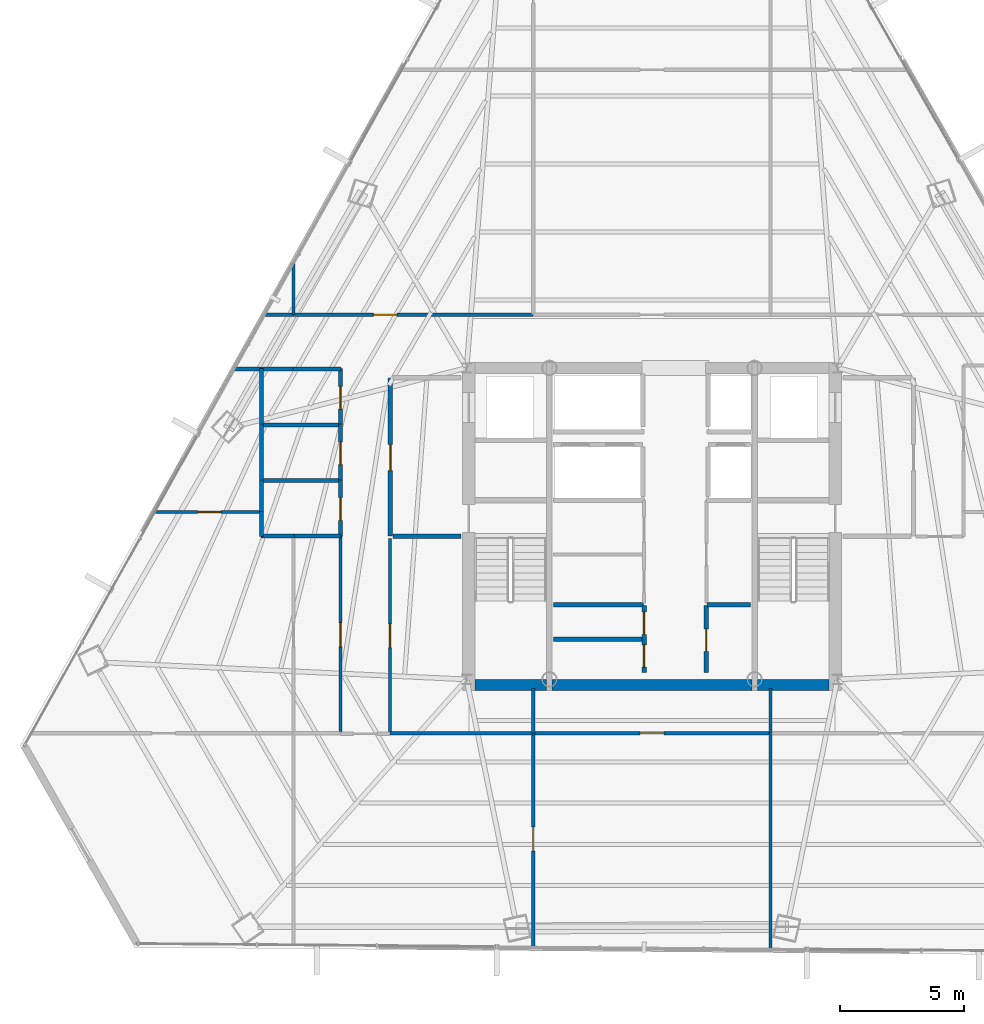
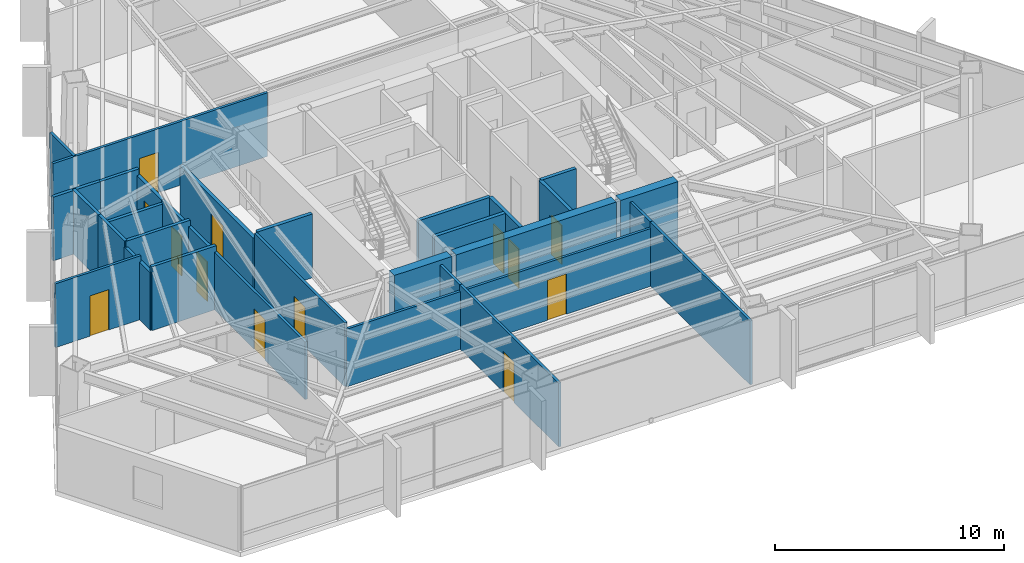
# One storey, part 33 of 38: 34 walls, 13 doors, 13 openings.
"""IFC4 building model written with IfcOpenShell, lengths in metres."""

from ifc_helpers import new_model, si_unit, direction, frame, frame_2d, origin, place, context, subcontext, project, spatial, rectangle, extrude, material, layer, layer_set, type_object, element, fill, save


model = new_model("IFC4")

# Units and contexts
model_context = context("Model", 3, precision=1e-05, world=origin(), true_north=direction((0.0, 1.0)))
body_context = subcontext(model_context, "Body", "Model", "MODEL_VIEW")
ifc_project = project(units=[si_unit("LENGTHUNIT", "METRE"), si_unit("AREAUNIT", "SQUARE_METRE"), si_unit("VOLUMEUNIT", "CUBIC_METRE"), si_unit("PLANEANGLEUNIT", "RADIAN"), si_unit("MASSUNIT", "GRAM", prefix="KILO")], contexts=[model_context])

# Site, building, storey
site_placement = place(None, origin())
site = spatial("IfcSite", under=ifc_project, at=site_placement, CompositionType="ELEMENT")
building_placement = place(site_placement, origin())
building = spatial("IfcBuilding", under=site, at=building_placement, Name="Caelisora Broadcast Tower", CompositionType="ELEMENT")
storey_placement = place(building_placement, frame((0.0, 0.0, 154.85009765625)))
storey = spatial("IfcBuildingStorey", under=building, at=storey_placement, Name="L40", CompositionType="ELEMENT", Elevation=154.85009765625)

# Walls
ifc_material_1 = material(Name="Concrete 50 MPa (AS 3600 S50)", Category="concrete")
ifc_layer_1 = layer(ifc_material_1, 0.449951171875, Name="Concrete 50 MPa (AS 3600 S50)")
ifc_layer_set_1 = layer_set([ifc_layer_1], Name="Concrete 50 MPa (AS 3600 S50)")
wall_type_1 = type_object("IfcWallType", Name="CW5", PredefinedType="SHEAR", material=ifc_layer_set_1)
wall_1_placement = place(storey_placement, frame((30.840087890625, 17.175048828125, 0.0), z_axis=(0.0, 0.0, 1.0), x_axis=(1.0, 0.0, 0.0)))
element("IfcWall", 1, at=wall_1_placement, inside=storey, type_object=wall_type_1, Name="L40 core shear wall CW5", PredefinedType="SHEAR", context=body_context, shape_type="SweptSolid", body=[
    extrude(rectangle(XDim=2.89990234375, YDim=0.449951171875, at=frame_2d((1.449951171875, 0.0))), origin(), (0.0, 0.0, 1.0), 3.64990234375),
])
wall_2_placement = place(storey_placement, frame((33.9599609375, 17.175048828125, 0.0), z_axis=(0.0, 0.0, 1.0), x_axis=(1.0, 0.0, 0.0)))
element("IfcWall", 2, at=wall_2_placement, inside=storey, type_object=wall_type_1, Name="L40 core shear wall CW5", PredefinedType="SHEAR", context=body_context, shape_type="SweptSolid", body=[
    extrude(rectangle(XDim=8.080078125, YDim=0.449951171875, at=frame_2d((4.0400390625, 0.0))), origin(), (0.0, 0.0, 1.0), 3.64990234375),
])
wall_3_placement = place(storey_placement, frame((42.260009765625, 17.175048828125, 0.0), z_axis=(0.0, 0.0, 1.0), x_axis=(1.0, 0.0, 0.0)))
element("IfcWall", 3, at=wall_3_placement, inside=storey, type_object=wall_type_1, Name="L40 core shear wall CW5", PredefinedType="SHEAR", context=body_context, shape_type="SweptSolid", body=[
    extrude(rectangle(XDim=2.89990234375, YDim=0.449951171875, at=frame_2d((1.449951171875, 0.0))), origin(), (0.0, 0.0, 1.0), 3.64990234375),
])

# Wall, opening, door
ifc_material_2 = material(Name="Fire-Rated Gypsum Shaft and Compartment Wall", Category="gypsum")
ifc_layer_2 = layer(ifc_material_2, 0.179931640625, Name="Fire-Rated Gypsum Shaft and Compartment Wall")
ifc_layer_set_2 = layer_set([ifc_layer_2], Name="Fire-Rated Gypsum Shaft and Compartment Wall")
wall_type_2 = type_object("IfcWallType", Name="PW2", PredefinedType="PARTITIONING", material=ifc_layer_set_2)
wall_4_placement = place(storey_placement, frame((27.419921875, 23.199951171875, 0.0), z_axis=(0.0, 0.0, 1.0), x_axis=(0.0, 1.0, 0.0)))
wall_4 = element("IfcWall", 4, at=wall_4_placement, inside=storey, type_object=wall_type_2, Name="L40 fire compartment wall PW2", PredefinedType="PARTITIONING", context=body_context, shape_type="SweptSolid", body=[
    extrude(rectangle(XDim=6.400146484375, YDim=0.179931640625, at=frame_2d((3.2001953125, 0.0))), origin(), (0.0, 0.0, 1.0), 3.07763671875),
])
opening_1_placement = place(wall_4_placement, frame((2.64990234375, 0.0, 0.0)))
opening_1 = element("IfcOpeningElement", 5, at=opening_1_placement, cuts=wall_4, Name="Opening FD02", PredefinedType="OPENING", context=body_context, shape_type="SweptSolid", body=[
    extrude(rectangle(XDim=1.050048828125, YDim=2.14990234375, at=frame_2d((0.52490234375, 1.074951171875))), frame((0.0, 0.10205078125, 0.0), z_axis=(0.0, -1.0, 0.0), x_axis=(1.0, 0.0, 0.0)), (0.0, 0.0, 1.0), 0.203857421875),
])
ifc_material_3 = material(Name="Single-Leaf Steel Fire Lobby Door", Category="steel")
door_type_1 = type_object("IfcDoorType", Name="FD02", OperationType="NOTDEFINED", PredefinedType="DOOR", material=ifc_material_3)
door_1_placement = place(opening_1_placement, origin())
door_1 = element("IfcDoor", 6, at=door_1_placement, inside=storey, type_object=door_type_1, Name="L40 door FD02 (L40-DR-P01D1)", OperationType="SINGLE_SWING_RIGHT", OverallHeight=2.14990234375, OverallWidth=1.050048828125, PredefinedType="DOOR", context=body_context, shape_type="SweptSolid", body=[
    extrude(rectangle(XDim=1.050048828125, YDim=2.14990234375, at=frame_2d((0.52490234375, 1.074951171875))), frame((0.0, 0.02490234375, 0.0), z_axis=(0.0, -1.0, 0.0), x_axis=(1.0, 0.0, 0.0)), (0.0, 0.0, 1.0), 0.050048828125),
])
fill(opening_1, door_1)

# Walls
wall_5_placement = place(storey_placement, frame((27.52001953125, 23.199951171875, 0.0), z_axis=(0.0, 0.0, 1.0), x_axis=(1.0, 0.0, 0.0)))
element("IfcWall", 7, at=wall_5_placement, inside=storey, type_object=wall_type_2, Name="L40 fire compartment wall PW2", PredefinedType="PARTITIONING", context=body_context, shape_type="SweptSolid", body=[
    extrude(rectangle(XDim=2.760009765625, YDim=0.179931640625, at=frame_2d((1.3798828125, 0.0))), origin(), (0.0, 0.0, 1.0), 3.39990234375),
])
wall_6_placement = place(storey_placement, frame((34.02001953125, 20.419921875, 0.0), z_axis=(0.0, 0.0, 1.0), x_axis=(1.0, 0.0, 0.0)))
element("IfcWall", 8, at=wall_6_placement, inside=storey, type_object=wall_type_2, Name="L40 fire compartment wall PW2", PredefinedType="PARTITIONING", context=body_context, shape_type="SweptSolid", body=[
    extrude(rectangle(XDim=3.639892578125, YDim=0.179931640625, at=frame_2d((1.81982421875, 0.0))), origin(), (0.0, 0.0, 1.0), 3.39990234375),
])
wall_7_placement = place(storey_placement, frame((40.219970703125, 20.419921875, 0.0), z_axis=(0.0, 0.0, 1.0), x_axis=(1.0, 0.0, 0.0)))
element("IfcWall", 9, at=wall_7_placement, inside=storey, type_object=wall_type_2, Name="L40 fire compartment wall PW2", PredefinedType="PARTITIONING", context=body_context, shape_type="SweptSolid", body=[
    extrude(rectangle(XDim=1.760009765625, YDim=0.179931640625, at=frame_2d((0.8798828125, 0.0))), origin(), (0.0, 0.0, 1.0), 3.39990234375),
])
wall_8_placement = place(storey_placement, frame((34.02001953125, 19.02001953125, 0.0), z_axis=(0.0, 0.0, 1.0), x_axis=(1.0, 0.0, 0.0)))
element("IfcWall", 10, at=wall_8_placement, inside=storey, type_object=wall_type_2, Name="L40 fire compartment wall PW2", PredefinedType="PARTITIONING", context=body_context, shape_type="SweptSolid", body=[
    extrude(rectangle(XDim=3.580078125, YDim=0.179931640625, at=frame_2d((1.7900390625, 0.0))), origin(), (0.0, 0.0, 1.0), 3.39990234375),
])

# Wall, openings, doors
wall_9_placement = place(storey_placement, frame((37.679931640625, 17.679931640625, 0.0), z_axis=(0.0, 0.0, 1.0), x_axis=(0.0, 1.0, 0.0)))
wall_9 = element("IfcWall", 11, at=wall_9_placement, inside=storey, type_object=wall_type_2, Name="L40 fire compartment wall PW2", PredefinedType="PARTITIONING", context=body_context, shape_type="SweptSolid", body=[
    extrude(rectangle(XDim=2.699951171875, YDim=0.179931640625, at=frame_2d((1.35009765625, 0.0))), origin(), (0.0, 0.0, 1.0), 3.39990234375),
])
opening_2_placement = place(wall_9_placement, frame((0.219970703125, 0.0, 0.0)))
opening_2 = element("IfcOpeningElement", 12, at=opening_2_placement, cuts=wall_9, Name="Opening FD03", PredefinedType="OPENING", context=body_context, shape_type="SweptSolid", body=[
    extrude(rectangle(XDim=0.89990234375, YDim=2.10009765625, at=frame_2d((0.449951171875, 1.050048828125))), frame((0.0, 0.10205078125, 0.0), z_axis=(0.0, -1.0, 0.0), x_axis=(1.0, 0.0, 0.0)), (0.0, 0.0, 1.0), 0.203857421875),
])
opening_3_placement = place(wall_9_placement, frame((1.5400390625, 0.0, 0.0)))
opening_3 = element("IfcOpeningElement", 13, at=opening_3_placement, cuts=wall_9, Name="Opening FD03", PredefinedType="OPENING", context=body_context, shape_type="SweptSolid", body=[
    extrude(rectangle(XDim=0.89990234375, YDim=2.10009765625, at=frame_2d((0.449951171875, 1.050048828125))), frame((0.0, 0.10205078125, 0.0), z_axis=(0.0, -1.0, 0.0), x_axis=(1.0, 0.0, 0.0)), (0.0, 0.0, 1.0), 0.203857421875),
])
ifc_material_4 = material(Name="Single-Leaf Steel Riser Fire Access Door", Category="steel")
door_type_2 = type_object("IfcDoorType", Name="FD03", OperationType="NOTDEFINED", PredefinedType="DOOR", material=ifc_material_4)
door_2_placement = place(opening_2_placement, origin())
door_2 = element("IfcDoor", 14, at=door_2_placement, inside=storey, type_object=door_type_2, Name="L40 door FD03 (L40-DR-P15D1)", OperationType="SINGLE_SWING_LEFT", OverallHeight=2.10009765625, OverallWidth=0.89990234375, PredefinedType="DOOR", context=body_context, shape_type="SweptSolid", body=[
    extrude(rectangle(XDim=0.89990234375, YDim=2.10009765625, at=frame_2d((0.449951171875, 1.050048828125))), frame((0.0, 0.02490234375, 0.0), z_axis=(0.0, -1.0, 0.0), x_axis=(1.0, 0.0, 0.0)), (0.0, 0.0, 1.0), 0.050048828125),
])
fill(opening_2, door_2)
door_3_placement = place(opening_3_placement, origin())
door_3 = element("IfcDoor", 15, at=door_3_placement, inside=storey, type_object=door_type_2, Name="L40 door FD03 (L40-DR-P15D2)", OperationType="SINGLE_SWING_RIGHT", OverallHeight=2.10009765625, OverallWidth=0.89990234375, PredefinedType="DOOR", context=body_context, shape_type="SweptSolid", body=[
    extrude(rectangle(XDim=0.89990234375, YDim=2.10009765625, at=frame_2d((0.449951171875, 1.050048828125))), frame((0.0, 0.02490234375, 0.0), z_axis=(0.0, -1.0, 0.0), x_axis=(1.0, 0.0, 0.0)), (0.0, 0.0, 1.0), 0.050048828125),
])
fill(opening_3, door_3)

# Wall, opening, door
wall_10_placement = place(storey_placement, frame((40.199951171875, 17.679931640625, 0.0), z_axis=(0.0, 0.0, 1.0), x_axis=(0.0, 1.0, 0.0)))
wall_10 = element("IfcWall", 16, at=wall_10_placement, inside=storey, type_object=wall_type_2, Name="L40 fire compartment wall PW2", PredefinedType="PARTITIONING", context=body_context, shape_type="SweptSolid", body=[
    extrude(rectangle(XDim=2.699951171875, YDim=0.179931640625, at=frame_2d((1.35009765625, 0.0))), origin(), (0.0, 0.0, 1.0), 3.39990234375),
])
opening_4_placement = place(wall_10_placement, frame((0.85009765625, 0.0, 0.0)))
opening_4 = element("IfcOpeningElement", 17, at=opening_4_placement, cuts=wall_10, Name="Opening FD03", PredefinedType="OPENING", context=body_context, shape_type="SweptSolid", body=[
    extrude(rectangle(XDim=0.89990234375, YDim=2.10009765625, at=frame_2d((0.449951171875, 1.050048828125))), frame((0.0, 0.10205078125, 0.0), z_axis=(0.0, -1.0, 0.0), x_axis=(1.0, 0.0, 0.0)), (0.0, 0.0, 1.0), 0.203857421875),
])
door_4_placement = place(opening_4_placement, origin())
door_4 = element("IfcDoor", 18, at=door_4_placement, inside=storey, type_object=door_type_2, Name="L40 door FD03 (L40-DR-P16D1)", OperationType="SINGLE_SWING_LEFT", OverallHeight=2.10009765625, OverallWidth=0.89990234375, PredefinedType="DOOR", context=body_context, shape_type="SweptSolid", body=[
    extrude(rectangle(XDim=0.89990234375, YDim=2.10009765625, at=frame_2d((0.449951171875, 1.050048828125))), frame((0.0, 0.02490234375, 0.0), z_axis=(0.0, -1.0, 0.0), x_axis=(1.0, 0.0, 0.0)), (0.0, 0.0, 1.0), 0.050048828125),
])
fill(opening_4, door_4)

ifc_material_5 = material(Name="Acoustic Steel-Stud Plasterboard Partition", Category="gypsum")
ifc_layer_3 = layer(ifc_material_5, 0.1298828125, Name="Acoustic Steel-Stud Plasterboard Partition")
ifc_layer_set_3 = layer_set([ifc_layer_3], Name="Acoustic Steel-Stud Plasterboard Partition")
wall_type_3 = type_object("IfcWallType", Name="PW3", PredefinedType="PARTITIONING", material=ifc_layer_set_3)
wall_11_placement = place(storey_placement, frame((22.363525390625, 32.14990234375, 0.0), z_axis=(0.0, 0.0, 1.0), x_axis=(1.0, 0.0, 0.0)))
wall_11 = element("IfcWall", 19, at=wall_11_placement, inside=storey, type_object=wall_type_3, Name="L40 internal partition PW3", PredefinedType="PARTITIONING", context=body_context, shape_type="SweptSolid", body=[
    extrude(rectangle(XDim=10.83154296875, YDim=0.1298828125, at=frame_2d((5.415771484375, 0.0))), origin(), (0.0, 0.0, 1.0), 3.39990234375),
])
opening_5_placement = place(wall_11_placement, frame((4.364990234375, 0.0, 0.0)))
opening_5 = element("IfcOpeningElement", 20, at=opening_5_placement, cuts=wall_11, Name="Opening D01", PredefinedType="OPENING", context=body_context, shape_type="SweptSolid", body=[
    extrude(rectangle(XDim=0.9599609375, YDim=2.14990234375, at=frame_2d((0.47998046875, 1.074951171875))), frame((0.0, 0.076904296875, 0.0), z_axis=(0.0, -1.0, 0.0), x_axis=(1.0, 0.0, 0.0)), (0.0, 0.0, 1.0), 0.15380859375),
])
ifc_material_6 = material(Name="Solid-Core Timber Acoustic Office Door", Category="wood")
door_type_3 = type_object("IfcDoorType", Name="D01", OperationType="NOTDEFINED", PredefinedType="DOOR", material=ifc_material_6)
door_5_placement = place(opening_5_placement, origin())
door_5 = element("IfcDoor", 21, at=door_5_placement, inside=storey, type_object=door_type_3, Name="L40 door D01 (L40-DR-P35D1)", OperationType="SINGLE_SWING_RIGHT", OverallHeight=2.14990234375, OverallWidth=0.9599609375, PredefinedType="DOOR", context=body_context, shape_type="SweptSolid", body=[
    extrude(rectangle(XDim=0.9599609375, YDim=2.14990234375, at=frame_2d((0.47998046875, 1.074951171875))), frame((0.0, 0.02490234375, 0.0), z_axis=(0.0, -1.0, 0.0), x_axis=(1.0, 0.0, 0.0)), (0.0, 0.0, 1.0), 0.050048828125),
])
fill(opening_5, door_5)

wall_12_placement = place(storey_placement, frame((33.205078125, 15.219970703125, 0.0), z_axis=(0.0, 0.0, 1.0), x_axis=(1.0, 0.0, 0.0)))
wall_12 = element("IfcWall", 22, at=wall_12_placement, inside=storey, type_object=wall_type_3, Name="L40 internal partition PW3", PredefinedType="PARTITIONING", context=body_context, shape_type="SweptSolid", body=[
    extrude(rectangle(XDim=9.58984375, YDim=0.1298828125, at=frame_2d((4.794921875, 0.0))), origin(), (0.0, 0.0, 1.0), 3.07763671875),
])
opening_6_placement = place(wall_12_placement, frame((4.31494140625, 0.0, 0.0)))
opening_6 = element("IfcOpeningElement", 23, at=opening_6_placement, cuts=wall_12, Name="Opening D01", PredefinedType="OPENING", context=body_context, shape_type="SweptSolid", body=[
    extrude(rectangle(XDim=0.9599609375, YDim=2.14990234375, at=frame_2d((0.47998046875, 1.074951171875))), frame((0.0, 0.076904296875, 0.0), z_axis=(0.0, -1.0, 0.0), x_axis=(1.0, 0.0, 0.0)), (0.0, 0.0, 1.0), 0.15380859375),
])
door_6_placement = place(opening_6_placement, origin())
door_6 = element("IfcDoor", 24, at=door_6_placement, inside=storey, type_object=door_type_3, Name="L40 door D01 (L40-DR-P39D1)", OperationType="SINGLE_SWING_RIGHT", OverallHeight=2.14990234375, OverallWidth=0.9599609375, PredefinedType="DOOR", context=body_context, shape_type="SweptSolid", body=[
    extrude(rectangle(XDim=0.9599609375, YDim=2.14990234375, at=frame_2d((0.47998046875, 1.074951171875))), frame((0.0, 0.02490234375, 0.0), z_axis=(0.0, -1.0, 0.0), x_axis=(1.0, 0.0, 0.0)), (0.0, 0.0, 1.0), 0.050048828125),
])
fill(opening_6, door_6)

# Wall
wall_13_placement = place(storey_placement, frame((42.800048828125, 6.489013671875, 0.0), z_axis=(0.0, 0.0, 1.0), x_axis=(0.0, 1.0, 0.0)))
element("IfcWall", 25, at=wall_13_placement, inside=storey, type_object=wall_type_3, Name="L40 internal partition PW3", PredefinedType="PARTITIONING", context=body_context, shape_type="SweptSolid", body=[
    extrude(rectangle(XDim=8.72607421875, YDim=0.1298828125, at=frame_2d((4.363037109375, 0.0))), origin(), (0.0, 0.0, 1.0), 3.39990234375),
])

# Wall, opening, door
wall_14_placement = place(storey_placement, frame((33.199951171875, 6.568603515625, 0.0), z_axis=(0.0, 0.0, 1.0), x_axis=(0.0, 1.0, 0.0)))
wall_14 = element("IfcWall", 26, at=wall_14_placement, inside=storey, type_object=wall_type_3, Name="L40 internal partition PW3", PredefinedType="PARTITIONING", context=body_context, shape_type="SweptSolid", body=[
    extrude(rectangle(XDim=8.646484375, YDim=0.1298828125, at=frame_2d((4.3232421875, 0.0))), origin(), (0.0, 0.0, 1.0), 3.39990234375),
])
opening_7_placement = place(wall_14_placement, frame((3.89306640625, 0.0, 0.0)))
opening_7 = element("IfcOpeningElement", 27, at=opening_7_placement, cuts=wall_14, Name="Opening D01", PredefinedType="OPENING", context=body_context, shape_type="SweptSolid", body=[
    extrude(rectangle(XDim=0.9599609375, YDim=2.14990234375, at=frame_2d((0.47998046875, 1.074951171875))), frame((0.0, 0.076904296875, 0.0), z_axis=(0.0, -1.0, 0.0), x_axis=(1.0, 0.0, 0.0)), (0.0, 0.0, 1.0), 0.15380859375),
])
door_7_placement = place(opening_7_placement, origin())
door_7 = element("IfcDoor", 28, at=door_7_placement, inside=storey, type_object=door_type_3, Name="L40 door D01 (L40-DR-P46D1)", OperationType="SINGLE_SWING_LEFT", OverallHeight=2.14990234375, OverallWidth=0.9599609375, PredefinedType="DOOR", context=body_context, shape_type="SweptSolid", body=[
    extrude(rectangle(XDim=0.9599609375, YDim=2.14990234375, at=frame_2d((0.47998046875, 1.074951171875))), frame((0.0, 0.02490234375, 0.0), z_axis=(0.0, -1.0, 0.0), x_axis=(1.0, 0.0, 0.0)), (0.0, 0.0, 1.0), 0.050048828125),
])
fill(opening_7, door_7)

wall_15_placement = place(storey_placement, frame((25.39990234375, 15.22509765625, 0.0), z_axis=(0.0, 0.0, 1.0), x_axis=(0.0, 1.0, 0.0)))
wall_15 = element("IfcWall", 29, at=wall_15_placement, inside=storey, type_object=wall_type_3, Name="L40 internal partition PW3", PredefinedType="PARTITIONING", context=body_context, shape_type="SweptSolid", body=[
    extrude(rectangle(XDim=7.969970703125, YDim=0.1298828125, at=frame_2d((3.98486328125, 0.0))), origin(), (0.0, 0.0, 1.0), 3.07763671875),
])
opening_8_placement = place(wall_15_placement, frame((3.5048828125, 0.0, 0.0)))
opening_8 = element("IfcOpeningElement", 30, at=opening_8_placement, cuts=wall_15, Name="Opening D01", PredefinedType="OPENING", context=body_context, shape_type="SweptSolid", body=[
    extrude(rectangle(XDim=0.9599609375, YDim=2.14990234375, at=frame_2d((0.47998046875, 1.074951171875))), frame((0.0, 0.076904296875, 0.0), z_axis=(0.0, -1.0, 0.0), x_axis=(1.0, 0.0, 0.0)), (0.0, 0.0, 1.0), 0.15380859375),
])
door_8_placement = place(opening_8_placement, origin())
door_8 = element("IfcDoor", 31, at=door_8_placement, inside=storey, type_object=door_type_3, Name="L40 door D01 (L40-DR-P49D1)", OperationType="SINGLE_SWING_RIGHT", OverallHeight=2.14990234375, OverallWidth=0.9599609375, PredefinedType="DOOR", context=body_context, shape_type="SweptSolid", body=[
    extrude(rectangle(XDim=0.9599609375, YDim=2.14990234375, at=frame_2d((0.47998046875, 1.074951171875))), frame((0.0, 0.02490234375, 0.0), z_axis=(0.0, -1.0, 0.0), x_axis=(1.0, 0.0, 0.0)), (0.0, 0.0, 1.0), 0.050048828125),
])
fill(opening_8, door_8)

wall_16_placement = place(storey_placement, frame((27.39990234375, 15.22509765625, 0.0), z_axis=(0.0, 0.0, 1.0), x_axis=(0.0, 1.0, 0.0)))
wall_16 = element("IfcWall", 32, at=wall_16_placement, inside=storey, type_object=wall_type_3, Name="L40 internal partition PW3", PredefinedType="PARTITIONING", context=body_context, shape_type="SweptSolid", body=[
    extrude(rectangle(XDim=7.8798828125, YDim=0.1298828125, at=frame_2d((3.93994140625, 0.0))), origin(), (0.0, 0.0, 1.0), 3.39990234375),
])
opening_9_placement = place(wall_16_placement, frame((3.4599609375, 0.0, 0.0)))
opening_9 = element("IfcOpeningElement", 33, at=opening_9_placement, cuts=wall_16, Name="Opening D01", PredefinedType="OPENING", context=body_context, shape_type="SweptSolid", body=[
    extrude(rectangle(XDim=0.9599609375, YDim=2.14990234375, at=frame_2d((0.47998046875, 1.074951171875))), frame((0.0, 0.076904296875, 0.0), z_axis=(0.0, -1.0, 0.0), x_axis=(1.0, 0.0, 0.0)), (0.0, 0.0, 1.0), 0.15380859375),
])
door_9_placement = place(opening_9_placement, origin())
door_9 = element("IfcDoor", 34, at=door_9_placement, inside=storey, type_object=door_type_3, Name="L40 door D01 (L40-DR-P51D1)", OperationType="SINGLE_SWING_RIGHT", OverallHeight=2.14990234375, OverallWidth=0.9599609375, PredefinedType="DOOR", context=body_context, shape_type="SweptSolid", body=[
    extrude(rectangle(XDim=0.9599609375, YDim=2.14990234375, at=frame_2d((0.47998046875, 1.074951171875))), frame((0.0, 0.02490234375, 0.0), z_axis=(0.0, -1.0, 0.0), x_axis=(1.0, 0.0, 0.0)), (0.0, 0.0, 1.0), 0.050048828125),
])
fill(opening_9, door_9)

# Wall
wall_17_placement = place(storey_placement, frame((27.405029296875, 15.219970703125, 0.0), z_axis=(0.0, 0.0, 1.0), x_axis=(1.0, 0.0, 0.0)))
element("IfcWall", 35, at=wall_17_placement, inside=storey, type_object=wall_type_3, Name="L40 internal partition PW3", PredefinedType="PARTITIONING", context=body_context, shape_type="SweptSolid", body=[
    extrude(rectangle(XDim=5.7900390625, YDim=0.1298828125, at=frame_2d((2.89501953125, 0.0))), origin(), (0.0, 0.0, 1.0), 3.07763671875),
])

# Wall, opening, door
wall_18_placement = place(storey_placement, frame((17.880615234375, 24.169921875, 0.0), z_axis=(0.0, 0.0, 1.0), x_axis=(1.0, 0.0, 0.0)))
wall_18 = element("IfcWall", 36, at=wall_18_placement, inside=storey, type_object=wall_type_3, Name="L40 internal partition PW3", PredefinedType="PARTITIONING", context=body_context, shape_type="SweptSolid", body=[
    extrude(rectangle(XDim=4.314453125, YDim=0.1298828125, at=frame_2d((2.1572265625, 0.0))), origin(), (0.0, 0.0, 1.0), 3.39990234375),
])
opening_10_placement = place(wall_18_placement, frame((1.73291015625, 0.0, 0.0)))
opening_10 = element("IfcOpeningElement", 37, at=opening_10_placement, cuts=wall_18, Name="Opening D01", PredefinedType="OPENING", context=body_context, shape_type="SweptSolid", body=[
    extrude(rectangle(XDim=0.9599609375, YDim=2.14990234375, at=frame_2d((0.47998046875, 1.074951171875))), frame((0.0, 0.076904296875, 0.0), z_axis=(0.0, -1.0, 0.0), x_axis=(1.0, 0.0, 0.0)), (0.0, 0.0, 1.0), 0.15380859375),
])
door_10_placement = place(opening_10_placement, origin())
door_10 = element("IfcDoor", 38, at=door_10_placement, inside=storey, type_object=door_type_3, Name="L40 door D01 (L40-DR-P58D1)", OperationType="SINGLE_SWING_RIGHT", OverallHeight=2.14990234375, OverallWidth=0.9599609375, PredefinedType="DOOR", context=body_context, shape_type="SweptSolid", body=[
    extrude(rectangle(XDim=0.9599609375, YDim=2.14990234375, at=frame_2d((0.47998046875, 1.074951171875))), frame((0.0, 0.02490234375, 0.0), z_axis=(0.0, -1.0, 0.0), x_axis=(1.0, 0.0, 0.0)), (0.0, 0.0, 1.0), 0.050048828125),
])
fill(opening_10, door_10)

# Walls
wall_19_placement = place(storey_placement, frame((23.5, 32.155029296875, 0.0), z_axis=(0.0, 0.0, 1.0), x_axis=(0.0, 1.0, 0.0)))
element("IfcWall", 39, at=wall_19_placement, inside=storey, type_object=wall_type_3, Name="L40 internal partition PW3", PredefinedType="PARTITIONING", context=body_context, shape_type="SweptSolid", body=[
    extrude(rectangle(XDim=2.07568359375, YDim=0.1298828125, at=frame_2d((1.037841796875, 0.0))), origin(), (0.0, 0.0, 1.0), 3.39990234375),
])
for number, where, z_axis, x_axis, name in (
    (40, (33.199951171875, 15.22509765625, 0.0), (0.0, 0.0, 1.0), (0.0, 1.0, 0.0), "L40 internal partition PW3"),
    (41, (42.800048828125, 15.22509765625, 0.0), (0.0, 0.0, 1.0), (0.0, 1.0, 0.0), "L40 internal partition PW3"),
):
    element("IfcWall", number, at=place(storey_placement, frame(where, z_axis=z_axis, x_axis=x_axis)), inside=storey, type_object=wall_type_3, Name=name, PredefinedType="PARTITIONING", context=body_context, shape_type="SweptSolid", body=[
        extrude(rectangle(XDim=1.7998046875, YDim=0.1298828125, at=frame_2d((0.89990234375, 0.0))), origin(), (0.0, 0.0, 1.0), 3.39990234375),
    ])
ifc_material_7 = material(Name="Moisture-Resistant Wet Plumbing Service Wall", Category="gypsum")
ifc_layer_4 = layer(ifc_material_7, 0.159912109375, Name="Moisture-Resistant Wet Plumbing Service Wall")
ifc_layer_set_4 = layer_set([ifc_layer_4], Name="Moisture-Resistant Wet Plumbing Service Wall")
wall_type_4 = type_object("IfcWallType", Name="PW4", PredefinedType="PLUMBINGWALL", material=ifc_layer_set_4)
wall_20_placement = place(storey_placement, frame((22.175048828125, 25.449951171875, 0.0), z_axis=(0.0, 0.0, 1.0), x_axis=(1.0, 0.0, 0.0)))
element("IfcWall", 42, at=wall_20_placement, inside=storey, type_object=wall_type_4, Name="L40 wet plumbing wall PW4", PredefinedType="PLUMBINGWALL", context=body_context, shape_type="SweptSolid", body=[
    extrude(rectangle(XDim=3.25, YDim=0.159912109375, at=frame_2d((1.625, 0.0))), origin(), (0.0, 0.0, 1.0), 3.39990234375),
])
wall_21_placement = place(storey_placement, frame((22.175048828125, 27.699951171875, 0.0), z_axis=(0.0, 0.0, 1.0), x_axis=(1.0, 0.0, 0.0)))
element("IfcWall", 43, at=wall_21_placement, inside=storey, type_object=wall_type_4, Name="L40 wet plumbing wall PW4", PredefinedType="PLUMBINGWALL", context=body_context, shape_type="SweptSolid", body=[
    extrude(rectangle(XDim=3.25, YDim=0.159912109375, at=frame_2d((1.625, 0.0))), origin(), (0.0, 0.0, 1.0), 2.924560546875),
])

# Wall, opening, door
wall_22_placement = place(storey_placement, frame((25.39990234375, 23.175048828125, 0.0), z_axis=(0.0, 0.0, 1.0), x_axis=(0.0, 1.0, 0.0)))
wall_22 = element("IfcWall", 44, at=wall_22_placement, inside=storey, type_object=wall_type_4, Name="L40 wet plumbing wall PW4", PredefinedType="PLUMBINGWALL", context=body_context, shape_type="SweptSolid", body=[
    extrude(rectangle(XDim=2.300048828125, YDim=0.159912109375, at=frame_2d((1.14990234375, 0.0))), origin(), (0.0, 0.0, 1.0), 3.07763671875),
])
opening_11_placement = place(wall_22_placement, frame((0.659912109375, 0.0, 0.0)))
opening_11 = element("IfcOpeningElement", 45, at=opening_11_placement, cuts=wall_22, Name="Opening D03", PredefinedType="OPENING", context=body_context, shape_type="SweptSolid", body=[
    extrude(rectangle(XDim=0.919921875, YDim=2.10009765625, at=frame_2d((0.4599609375, 1.050048828125))), frame((0.0, 0.092041015625, 0.0), z_axis=(0.0, -1.0, 0.0), x_axis=(1.0, 0.0, 0.0)), (0.0, 0.0, 1.0), 0.183837890625),
])
ifc_material_8 = material(Name="Laminate Moisture-Resistant Amenity WC Door", Category="wood")
door_type_4 = type_object("IfcDoorType", Name="D03", OperationType="NOTDEFINED", PredefinedType="DOOR", material=ifc_material_8)
door_11_placement = place(opening_11_placement, origin())
door_11 = element("IfcDoor", 46, at=door_11_placement, inside=storey, type_object=door_type_4, Name="L40 door D03 (L40-DR-P19D1)", OperationType="SINGLE_SWING_RIGHT", OverallHeight=2.10009765625, OverallWidth=0.919921875, PredefinedType="DOOR", context=body_context, shape_type="SweptSolid", body=[
    extrude(rectangle(XDim=0.919921875, YDim=2.10009765625, at=frame_2d((0.4599609375, 1.050048828125))), frame((0.0, 0.02490234375, 0.0), z_axis=(0.0, -1.0, 0.0), x_axis=(1.0, 0.0, 0.0)), (0.0, 0.0, 1.0), 0.050048828125),
])
fill(opening_11, door_11)

wall_23_placement = place(storey_placement, frame((25.39990234375, 25.425048828125, 0.0), z_axis=(0.0, 0.0, 1.0), x_axis=(0.0, 1.0, 0.0)))
wall_23 = element("IfcWall", 47, at=wall_23_placement, inside=storey, type_object=wall_type_4, Name="L40 wet plumbing wall PW4", PredefinedType="PLUMBINGWALL", context=body_context, shape_type="SweptSolid", body=[
    extrude(rectangle(XDim=2.300048828125, YDim=0.159912109375, at=frame_2d((1.14990234375, 0.0))), origin(), (0.0, 0.0, 1.0), 3.07763671875),
])
opening_12_placement = place(wall_23_placement, frame((0.659912109375, 0.0, 0.0)))
opening_12 = element("IfcOpeningElement", 48, at=opening_12_placement, cuts=wall_23, Name="Opening D03", PredefinedType="OPENING", context=body_context, shape_type="SweptSolid", body=[
    extrude(rectangle(XDim=0.919921875, YDim=2.10009765625, at=frame_2d((0.4599609375, 1.050048828125))), frame((0.0, 0.092041015625, 0.0), z_axis=(0.0, -1.0, 0.0), x_axis=(1.0, 0.0, 0.0)), (0.0, 0.0, 1.0), 0.183837890625),
])
door_12_placement = place(opening_12_placement, origin())
door_12 = element("IfcDoor", 49, at=door_12_placement, inside=storey, type_object=door_type_4, Name="L40 door D03 (L40-DR-P20D1)", OperationType="SINGLE_SWING_LEFT", OverallHeight=2.10009765625, OverallWidth=0.919921875, PredefinedType="DOOR", context=body_context, shape_type="SweptSolid", body=[
    extrude(rectangle(XDim=0.919921875, YDim=2.10009765625, at=frame_2d((0.4599609375, 1.050048828125))), frame((0.0, 0.02490234375, 0.0), z_axis=(0.0, -1.0, 0.0), x_axis=(1.0, 0.0, 0.0)), (0.0, 0.0, 1.0), 0.050048828125),
])
fill(opening_12, door_12)

wall_24_placement = place(storey_placement, frame((25.39990234375, 27.675048828125, 0.0), z_axis=(0.0, 0.0, 1.0), x_axis=(0.0, 1.0, 0.0)))
wall_24 = element("IfcWall", 50, at=wall_24_placement, inside=storey, type_object=wall_type_4, Name="L40 wet plumbing wall PW4", PredefinedType="PLUMBINGWALL", context=body_context, shape_type="SweptSolid", body=[
    extrude(rectangle(XDim=2.300048828125, YDim=0.159912109375, at=frame_2d((1.14990234375, 0.0))), origin(), (0.0, 0.0, 1.0), 3.07763671875),
])
opening_13_placement = place(wall_24_placement, frame((0.659912109375, 0.0, 0.0)))
opening_13 = element("IfcOpeningElement", 51, at=opening_13_placement, cuts=wall_24, Name="Opening D03", PredefinedType="OPENING", context=body_context, shape_type="SweptSolid", body=[
    extrude(rectangle(XDim=0.919921875, YDim=2.10009765625, at=frame_2d((0.4599609375, 1.050048828125))), frame((0.0, 0.092041015625, 0.0), z_axis=(0.0, -1.0, 0.0), x_axis=(1.0, 0.0, 0.0)), (0.0, 0.0, 1.0), 0.183837890625),
])
door_13_placement = place(opening_13_placement, origin())
door_13 = element("IfcDoor", 52, at=door_13_placement, inside=storey, type_object=door_type_4, Name="L40 door D03 (L40-DR-P21D1)", OperationType="SINGLE_SWING_RIGHT", OverallHeight=2.10009765625, OverallWidth=0.919921875, PredefinedType="DOOR", context=body_context, shape_type="SweptSolid", body=[
    extrude(rectangle(XDim=0.919921875, YDim=2.10009765625, at=frame_2d((0.4599609375, 1.050048828125))), frame((0.0, 0.02490234375, 0.0), z_axis=(0.0, -1.0, 0.0), x_axis=(1.0, 0.0, 0.0)), (0.0, 0.0, 1.0), 0.050048828125),
])
fill(opening_13, door_13)

# Walls
for number, where, z_axis, x_axis, name in (
    (53, (22.199951171875, 25.425048828125, 0.0), (0.0, 0.0, 1.0), (0.0, 1.0, 0.0), "L40 wet plumbing wall PW4"),
    (54, (22.199951171875, 27.675048828125, 0.0), (0.0, 0.0, 1.0), (0.0, 1.0, 0.0), "L40 wet plumbing wall PW4"),
):
    element("IfcWall", number, at=place(storey_placement, frame(where, z_axis=z_axis, x_axis=x_axis)), inside=storey, type_object=wall_type_4, Name=name, PredefinedType="PLUMBINGWALL", context=body_context, shape_type="SweptSolid", body=[
        extrude(rectangle(XDim=2.300048828125, YDim=0.159912109375, at=frame_2d((1.14990234375, 0.0))), origin(), (0.0, 0.0, 1.0), 3.39990234375),
    ])
for number, where, z_axis, x_axis, name in (
    (55, (23.47509765625, 23.199951171875, 0.0), (0.0, 0.0, 1.0), (1.0, 0.0, 0.0), "L40 wet plumbing wall PW4"),
    (56, (23.47509765625, 29.949951171875, 0.0), (0.0, 0.0, 1.0), (1.0, 0.0, 0.0), "L40 wet plumbing wall PW4"),
):
    element("IfcWall", number, at=place(storey_placement, frame(where, z_axis=z_axis, x_axis=x_axis)), inside=storey, type_object=wall_type_4, Name=name, PredefinedType="PLUMBINGWALL", context=body_context, shape_type="SweptSolid", body=[
        extrude(rectangle(XDim=1.949951171875, YDim=0.159912109375, at=frame_2d((0.97509765625, 0.0))), origin(), (0.0, 0.0, 1.0), 3.39990234375),
    ])
wall_25_placement = place(storey_placement, frame((22.175048828125, 23.199951171875, 0.0), z_axis=(0.0, 0.0, 1.0), x_axis=(1.0, 0.0, 0.0)))
element("IfcWall", 57, at=wall_25_placement, inside=storey, type_object=wall_type_4, Name="L40 wet plumbing wall PW4", PredefinedType="PLUMBINGWALL", context=body_context, shape_type="SweptSolid", body=[
    extrude(rectangle(XDim=1.349853515625, YDim=0.159912109375, at=frame_2d((0.6748046875, 0.0))), origin(), (0.0, 0.0, 1.0), 3.39990234375),
])
wall_26_placement = place(storey_placement, frame((21.104736328125, 29.949951171875, 0.0), z_axis=(0.0, 0.0, 1.0), x_axis=(1.0, 0.0, 0.0)))
element("IfcWall", 58, at=wall_26_placement, inside=storey, type_object=wall_type_4, Name="L40 wet plumbing wall PW4", PredefinedType="PLUMBINGWALL", context=body_context, shape_type="SweptSolid", body=[
    extrude(rectangle(XDim=2.420166015625, YDim=0.159912109375, at=frame_2d((1.2099609375, 0.0))), origin(), (0.0, 0.0, 1.0), 3.39990234375),
])
wall_27_placement = place(storey_placement, frame((22.199951171875, 24.14501953125, 0.0), z_axis=(0.0, 0.0, 1.0), x_axis=(0.0, 1.0, 0.0)))
element("IfcWall", 59, at=wall_27_placement, inside=storey, type_object=wall_type_4, Name="L40 wet plumbing wall PW4", PredefinedType="PLUMBINGWALL", context=body_context, shape_type="SweptSolid", body=[
    extrude(rectangle(XDim=1.330078125, YDim=0.159912109375, at=frame_2d((0.6650390625, 0.0))), origin(), (0.0, 0.0, 1.0), 3.07763671875),
])
wall_28_placement = place(storey_placement, frame((22.199951171875, 24.195068359375, 0.0), z_axis=(0.0, 0.0, 1.0), x_axis=(0.0, -1.0, 0.0)))
element("IfcWall", 60, at=wall_28_placement, inside=storey, type_object=wall_type_4, Name="L40 wet plumbing wall PW4", PredefinedType="PLUMBINGWALL", context=body_context, shape_type="SweptSolid", body=[
    extrude(rectangle(XDim=1.02001953125, YDim=0.159912109375, at=frame_2d((0.510009765625, 0.0))), origin(), (0.0, 0.0, 1.0), 3.07763671875),
])

save(model, "model.ifc")
